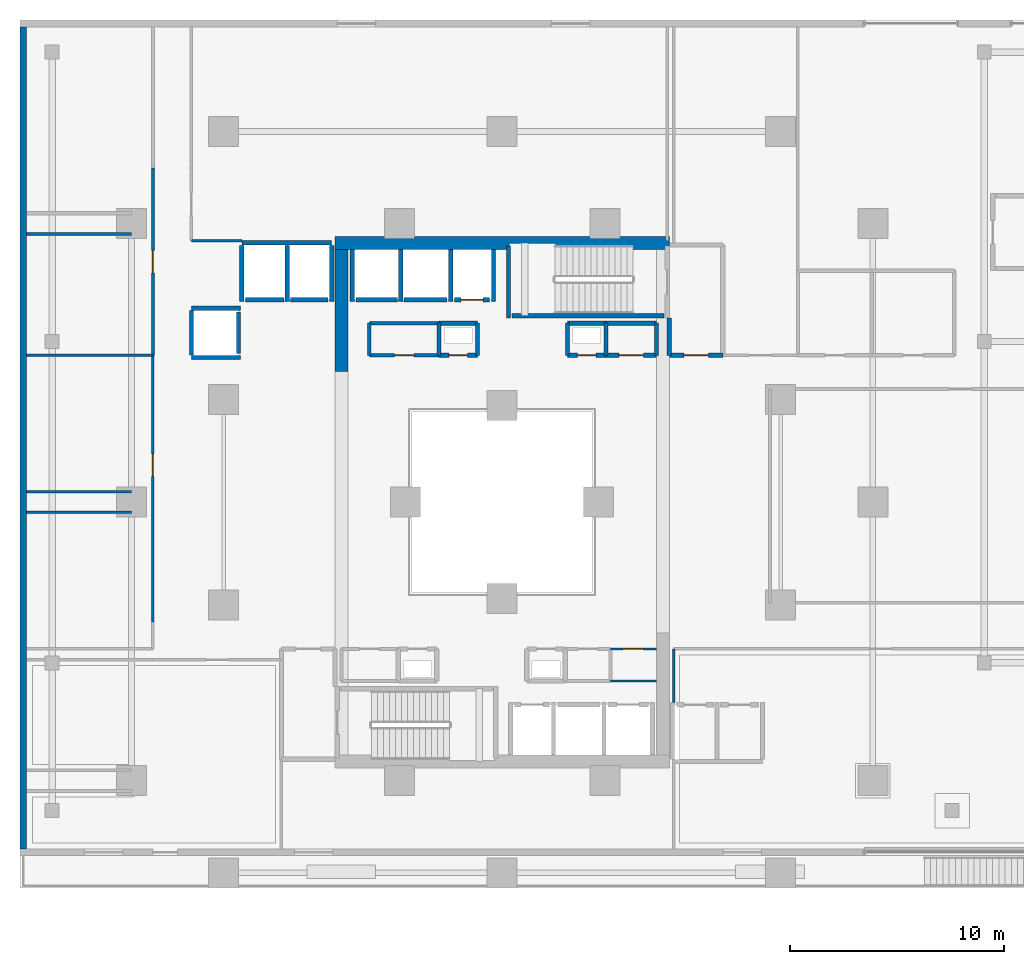
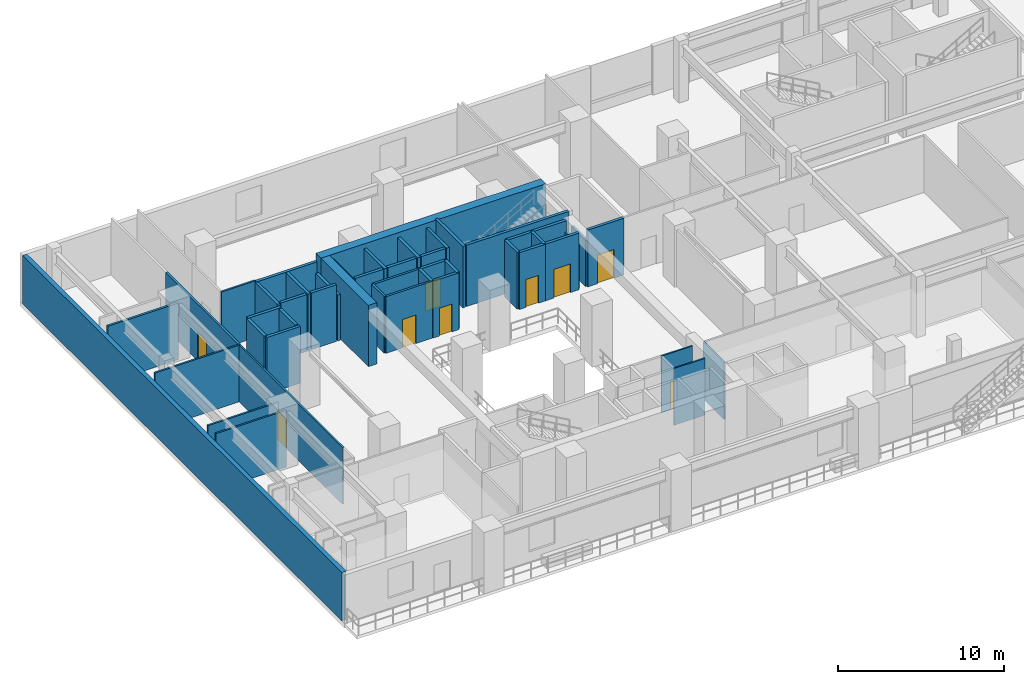
# One storey, part 12 of 22: 48 walls, 9 doors, 9 openings.
"""IFC4 building model written with IfcOpenShell, lengths in metres."""

from ifc_helpers import new_model, si_unit, direction, frame, frame_2d, origin, place, context, subcontext, project, spatial, rectangle, extrude, material, layer, layer_set, type_object, element, fill, save


model = new_model("IFC4")

# Units and contexts
model_context = context("Model", 3, precision=1e-05, world=origin(), true_north=direction((0.0, 1.0)))
body_context = subcontext(model_context, "Body", "Model", "MODEL_VIEW")
ifc_project = project(units=[si_unit("LENGTHUNIT", "METRE"), si_unit("AREAUNIT", "SQUARE_METRE"), si_unit("VOLUMEUNIT", "CUBIC_METRE"), si_unit("PLANEANGLEUNIT", "RADIAN"), si_unit("MASSUNIT", "GRAM", prefix="KILO")], contexts=[model_context])

# Site, building, storey
site_placement = place(None, origin())
site = spatial("IfcSite", under=ifc_project, at=site_placement, CompositionType="ELEMENT")
building_placement = place(site_placement, origin())
building = spatial("IfcBuilding", under=site, at=building_placement, Name="Thornwick Lancets Civic Towers", CompositionType="ELEMENT")
storey_placement = place(building_placement, frame((0.0, 0.0, 18.60009765625)))
storey = spatial("IfcBuildingStorey", under=building, at=storey_placement, Name="L04", CompositionType="ELEMENT", Elevation=18.60009765625)

# Wall, opening, door
ifc_material_1 = material(Name="Concrete blockwork C40/50", Category="masonry")
ifc_layer_1 = layer(ifc_material_1, 0.199951171875, Name="Concrete blockwork C40/50")
ifc_layer_set_1 = layer_set([ifc_layer_1], Name="Concrete blockwork C40/50")
wall_type_1 = type_object("IfcWallType", Name="WALL_COMP_200", PredefinedType="STANDARD", material=ifc_layer_set_1)
wall_1_placement = place(storey_placement, frame((24.919921875, 36.449951171875, 0.0), z_axis=(0.0, 0.0, 1.0), x_axis=(-1.0, 0.0, 0.0)))
wall_1 = element("IfcWall", 1, at=wall_1_placement, inside=storey, type_object=wall_type_1, Name="L04 Hoistway Front Wall FL-A2", PredefinedType="STANDARD", context=body_context, shape_type="SweptSolid", body=[
    extrude(rectangle(XDim=1.639892578125, YDim=0.199951171875, at=frame_2d((0.81982421875, 0.0))), origin(), (0.0, 0.0, 1.0), 4.159912109375),
])
opening_1_placement = place(wall_1_placement, frame((0.31005859375, 0.0, 0.0)))
opening_1 = element("IfcOpeningElement", 2, at=opening_1_placement, cuts=wall_1, Name="Opening LD-FL-A2", PredefinedType="OPENING", context=body_context, shape_type="SweptSolid", body=[
    extrude(rectangle(XDim=1.02001953125, YDim=2.06005859375, at=frame_2d((0.510009765625, 1.030029296875))), frame((0.0, 0.10986328125, 0.0), z_axis=(0.0, -1.0, 0.0), x_axis=(1.0, 0.0, 0.0)), (0.0, 0.0, 1.0), 0.219970703125),
])
ifc_material_2 = material(Name="Brushed bronze stainless steel", Category="steel")
door_type_1 = type_object("IfcDoorType", Name="DOOR_LIFT_SLIDE", OperationType="SLIDING_TO_LEFT", PredefinedType="DOOR", material=ifc_material_2)
door_1_placement = place(opening_1_placement, origin())
door_1 = element("IfcDoor", 3, at=door_1_placement, inside=storey, type_object=door_type_1, Name="L04 Sliding Lift Landing Door LD-FL-A2", OperationType="SLIDING_TO_LEFT", OverallHeight=2.06005859375, OverallWidth=1.02001953125, PredefinedType="DOOR", context=body_context, shape_type="SweptSolid", body=[
    extrude(rectangle(XDim=1.02001953125, YDim=2.06005859375, at=frame_2d((0.510009765625, 1.030029296875))), frame((0.0, 0.02490234375, 0.0), z_axis=(0.0, -1.0, 0.0), x_axis=(1.0, 0.0, 0.0)), (0.0, 0.0, 1.0), 0.050048828125),
])
fill(opening_1, door_1)

# Walls
wall_2_placement = place(storey_placement, frame((22.919921875, 36.449951171875, 0.0), z_axis=(0.0, 0.0, 1.0), x_axis=(-1.0, 0.0, 0.0)))
element("IfcWall", 4, at=wall_2_placement, inside=storey, type_object=wall_type_1, Name="L04 Hoistway Front Wall PL-AH2", PredefinedType="STANDARD", context=body_context, shape_type="SweptSolid", body=[
    extrude(rectangle(XDim=1.989990234375, YDim=0.199951171875, at=frame_2d((0.9951171875, 0.0))), origin(), (0.0, 0.0, 1.0), 4.159912109375),
])
wall_3_placement = place(storey_placement, frame((20.6201171875, 36.449951171875, 0.0), z_axis=(0.0, 0.0, 1.0), x_axis=(-1.0, 0.0, 0.0)))
element("IfcWall", 5, at=wall_3_placement, inside=storey, type_object=wall_type_1, Name="L04 Hoistway Front Wall PL-AH3", PredefinedType="STANDARD", context=body_context, shape_type="SweptSolid", body=[
    extrude(rectangle(XDim=1.940185546875, YDim=0.199951171875, at=frame_2d((0.97021484375, 0.0))), origin(), (0.0, 0.0, 1.0), 4.159912109375),
])
wall_4_placement = place(storey_placement, frame((17.3701171875, 36.449951171875, 0.0), z_axis=(0.0, 0.0, 1.0), x_axis=(-1.0, 0.0, 0.0)))
element("IfcWall", 6, at=wall_4_placement, inside=storey, type_object=wall_type_1, Name="L04 Hoistway Front Wall PL-AM1", PredefinedType="STANDARD", context=body_context, shape_type="SweptSolid", body=[
    extrude(rectangle(XDim=1.740234375, YDim=0.199951171875, at=frame_2d((0.8701171875, 0.0))), origin(), (0.0, 0.0, 1.0), 4.159912109375),
])
wall_5_placement = place(storey_placement, frame((15.320068359375, 36.449951171875, 0.0), z_axis=(0.0, 0.0, 1.0), x_axis=(-1.0, 0.0, 0.0)))
element("IfcWall", 7, at=wall_5_placement, inside=storey, type_object=wall_type_1, Name="L04 Hoistway Front Wall PL-AM2", PredefinedType="STANDARD", context=body_context, shape_type="SweptSolid", body=[
    extrude(rectangle(XDim=1.7900390625, YDim=0.199951171875, at=frame_2d((0.89501953125, 0.0))), origin(), (0.0, 0.0, 1.0), 4.159912109375),
])
wall_6_placement = place(storey_placement, frame((13.199951171875, 33.929931640625, 0.0), z_axis=(0.0, 0.0, 1.0), x_axis=(0.0, 1.0, 0.0)))
element("IfcWall", 8, at=wall_6_placement, inside=storey, type_object=wall_type_1, Name="L04 Hoistway Front Wall PL-AM3", PredefinedType="STANDARD", context=body_context, shape_type="SweptSolid", body=[
    extrude(rectangle(XDim=1.940185546875, YDim=0.199951171875, at=frame_2d((0.97021484375, 0.0))), origin(), (0.0, 0.0, 1.0), 4.159912109375),
])
for number, where, z_axis, x_axis, name in (
    (9, (25.10009765625, 36.35205078125, 0.0), (0.0, 0.0, 1.0), (0.0, 1.0, 0.0), "L04 Hoistway Shaft Wall FL-A2 E"),
    (10, (23.10009765625, 36.35205078125, 0.0), (0.0, 0.0, 1.0), (0.0, 1.0, 0.0), "L04 Hoistway Shaft Wall FL-A2 W"),
    (11, (20.77490234375, 36.35205078125, 0.0), (0.0, 0.0, 1.0), (0.0, 1.0, 0.0), "L04 Hoistway Shaft Wall PL-AH2 W"),
    (12, (18.5, 36.35205078125, 0.0), (0.0, 0.0, 1.0), (0.0, 1.0, 0.0), "L04 Hoistway Shaft Wall PL-AH3 W"),
):
    element("IfcWall", number, at=place(storey_placement, frame(where, z_axis=z_axis, x_axis=x_axis)), inside=storey, type_object=wall_type_1, Name=name, PredefinedType="STANDARD", context=body_context, shape_type="SweptSolid", body=[
        extrude(rectangle(XDim=2.43603515625, YDim=0.199951171875, at=frame_2d((1.218017578125, 0.0))), origin(), (0.0, 0.0, 1.0), 4.159912109375),
    ])
wall_7_placement = place(storey_placement, frame((13.35205078125, 39.10009765625, 0.0), z_axis=(0.0, 0.0, 1.0), x_axis=(1.0, 0.0, 0.0)))
element("IfcWall", 13, at=wall_7_placement, inside=storey, type_object=wall_type_1, Name="L04 Hoistway Shaft Wall PL-AM1 N", PredefinedType="STANDARD", context=body_context, shape_type="SweptSolid", body=[
    extrude(rectangle(XDim=4.196044921875, YDim=0.199951171875, at=frame_2d((2.09814453125, 0.0))), origin(), (0.0, 0.0, 1.0), 4.159912109375),
])
wall_8_placement = place(storey_placement, frame((17.550048828125, 36.35205078125, 0.0), z_axis=(0.0, 0.0, 1.0), x_axis=(0.0, 1.0, 0.0)))
element("IfcWall", 14, at=wall_8_placement, inside=storey, type_object=wall_type_1, Name="L04 Hoistway Shaft Wall PL-AM1 E", PredefinedType="STANDARD", context=body_context, shape_type="SweptSolid", body=[
    extrude(rectangle(XDim=2.635986328125, YDim=0.199951171875, at=frame_2d((1.31787109375, 0.0))), origin(), (0.0, 0.0, 1.0), 3.364990234375),
])
for number, where, z_axis, x_axis, name in (
    (15, (15.47509765625, 36.35205078125, 0.0), (0.0, 0.0, 1.0), (0.0, 1.0, 0.0), "L04 Hoistway Shaft Wall PL-AM1 W"),
    (16, (13.35009765625, 36.35205078125, 0.0), (0.0, 0.0, 1.0), (0.0, 1.0, 0.0), "L04 Hoistway Shaft Wall PL-AM2 W"),
):
    element("IfcWall", number, at=place(storey_placement, frame(where, z_axis=z_axis, x_axis=x_axis)), inside=storey, type_object=wall_type_1, Name=name, PredefinedType="STANDARD", context=body_context, shape_type="SweptSolid", body=[
        extrude(rectangle(XDim=2.635986328125, YDim=0.199951171875, at=frame_2d((1.31787109375, 0.0))), origin(), (0.0, 0.0, 1.0), 4.159912109375),
    ])
for number, where, z_axis, x_axis, name in (
    (17, (11.001953125, 36.050048828125, 0.0), (0.0, 0.0, 1.0), (1.0, 0.0, 0.0), "L04 Hoistway Shaft Wall PL-AM3 N"),
    (18, (11.001953125, 33.75, 0.0), (0.0, 0.0, 1.0), (1.0, 0.0, 0.0), "L04 Hoistway Shaft Wall PL-AM3 S"),
):
    element("IfcWall", number, at=place(storey_placement, frame(where, z_axis=z_axis, x_axis=x_axis)), inside=storey, type_object=wall_type_1, Name=name, PredefinedType="STANDARD", context=body_context, shape_type="SweptSolid", body=[
        extrude(rectangle(XDim=2.296142578125, YDim=0.199951171875, at=frame_2d((1.14794921875, 0.0))), origin(), (0.0, 0.0, 1.0), 4.159912109375),
    ])
wall_9_placement = place(storey_placement, frame((11.0, 33.862060546875, 0.0), z_axis=(0.0, 0.0, 1.0), x_axis=(0.0, 1.0, 0.0)))
element("IfcWall", 19, at=wall_9_placement, inside=storey, type_object=wall_type_1, Name="L04 Hoistway Shaft Wall PL-AM3 W", PredefinedType="STANDARD", context=body_context, shape_type="SweptSolid", body=[
    extrude(rectangle(XDim=2.075927734375, YDim=0.199951171875, at=frame_2d((1.0380859375, 0.0))), origin(), (0.0, 0.0, 1.0), 4.159912109375),
])

# Wall, opening, door
wall_10_placement = place(storey_placement, frame((33.300048828125, 33.85009765625, 0.0), z_axis=(0.0, 0.0, 1.0), x_axis=(1.0, 0.0, 0.0)))
wall_10 = element("IfcWall", 20, at=wall_10_placement, inside=storey, type_object=wall_type_1, Name="L04 Partition L04-A-FFLOB2 E1", PredefinedType="STANDARD", context=body_context, shape_type="SweptSolid", body=[
    extrude(rectangle(XDim=2.5, YDim=0.199951171875, at=frame_2d((1.25, 0.0))), origin(), (0.0, 0.0, 1.0), 4.159912109375),
])
opening_2_placement = place(wall_10_placement, frame((0.675048828125, 0.0, 0.0)))
opening_2 = element("IfcOpeningElement", 21, at=opening_2_placement, cuts=wall_10, Name="Opening D-L04-0234", PredefinedType="OPENING", context=body_context, shape_type="SweptSolid", body=[
    extrude(rectangle(XDim=1.14990234375, YDim=2.10009765625, at=frame_2d((0.574951171875, 1.050048828125))), frame((0.0, 0.10986328125, 0.0), z_axis=(0.0, -1.0, 0.0), x_axis=(1.0, 0.0, 0.0)), (0.0, 0.0, 1.0), 0.219970703125),
])
ifc_material_3 = material(Name="Glazed fire-resisting steel", Category="steel")
door_type_2 = type_object("IfcDoorType", Name="DOOR_LOBBY_FD60", OperationType="NOTDEFINED", PredefinedType="DOOR", material=ifc_material_3)
door_2_placement = place(opening_2_placement, origin())
door_2 = element("IfcDoor", 22, at=door_2_placement, inside=storey, type_object=door_type_2, Name="L04 North Firefighting Lobby 2 Door", OperationType="SINGLE_SWING_LEFT", OverallHeight=2.10009765625, OverallWidth=1.14990234375, PredefinedType="DOOR", context=body_context, shape_type="SweptSolid", body=[
    extrude(rectangle(XDim=1.14990234375, YDim=2.10009765625, at=frame_2d((0.574951171875, 1.050048828125))), frame((0.0, 0.02490234375, 0.0), z_axis=(0.0, -1.0, 0.0), x_axis=(1.0, 0.0, 0.0)), (0.0, 0.0, 1.0), 0.050048828125),
])
fill(opening_2, door_2)

# Wall
wall_11_placement = place(storey_placement, frame((33.300048828125, 35.60009765625, 0.0), z_axis=(0.0, 0.0, 1.0), x_axis=(0.0, -1.0, 0.0)))
element("IfcWall", 23, at=wall_11_placement, inside=storey, type_object=wall_type_1, Name="L04 Partition L04-A-FFLOB2 E4", PredefinedType="STANDARD", context=body_context, shape_type="SweptSolid", body=[
    extrude(rectangle(XDim=1.75, YDim=0.199951171875, at=frame_2d((0.875, 0.0))), origin(), (0.0, 0.0, 1.0), 3.364990234375),
])

# Wall, opening, door
wall_12_placement = place(storey_placement, frame((22.550048828125, 33.85009765625, 0.0), z_axis=(0.0, 0.0, 1.0), x_axis=(1.0, 0.0, 0.0)))
wall_12 = element("IfcWall", 24, at=wall_12_placement, inside=storey, type_object=wall_type_1, Name="L04 Partition L04-A-DUCT2 E1", PredefinedType="STANDARD", context=body_context, shape_type="SweptSolid", body=[
    extrude(rectangle(XDim=1.800048828125, YDim=0.199951171875, at=frame_2d((0.89990234375, 0.0))), origin(), (0.0, 0.0, 1.0), 4.159912109375),
])
opening_3_placement = place(wall_12_placement, frame((0.4599609375, 0.0, 0.0)))
opening_3 = element("IfcOpeningElement", 25, at=opening_3_placement, cuts=wall_12, Name="Opening D-L04-0237", PredefinedType="OPENING", context=body_context, shape_type="SweptSolid", body=[
    extrude(rectangle(XDim=0.8798828125, YDim=2.0400390625, at=frame_2d((0.43994140625, 1.02001953125))), frame((0.0, 0.10986328125, 0.0), z_axis=(0.0, -1.0, 0.0), x_axis=(1.0, 0.0, 0.0)), (0.0, 0.0, 1.0), 0.219970703125),
])
ifc_material_4 = material(Name="Steel riser access doorset", Category="steel")
door_type_3 = type_object("IfcDoorType", Name="DOOR_RISER_850", OperationType="NOTDEFINED", PredefinedType="DOOR", material=ifc_material_4)
door_3_placement = place(opening_3_placement, origin())
door_3 = element("IfcDoor", 26, at=door_3_placement, inside=storey, type_object=door_type_3, Name="L04 North Service Duct 2 Door", OperationType="SINGLE_SWING_RIGHT", OverallHeight=2.0400390625, OverallWidth=0.8798828125, PredefinedType="DOOR", context=body_context, shape_type="SweptSolid", body=[
    extrude(rectangle(XDim=0.8798828125, YDim=2.0400390625, at=frame_2d((0.43994140625, 1.02001953125))), frame((0.0, 0.02490234375, 0.0), z_axis=(0.0, -1.0, 0.0), x_axis=(1.0, 0.0, 0.0)), (0.0, 0.0, 1.0), 0.050048828125),
])
fill(opening_3, door_3)

# Walls
wall_13_placement = place(storey_placement, frame((24.35009765625, 33.85009765625, 0.0), z_axis=(0.0, 0.0, 1.0), x_axis=(0.0, 1.0, 0.0)))
element("IfcWall", 27, at=wall_13_placement, inside=storey, type_object=wall_type_1, Name="L04 Partition L04-A-DUCT2 E2", PredefinedType="STANDARD", context=body_context, shape_type="SweptSolid", body=[
    extrude(rectangle(XDim=1.5, YDim=0.199951171875, at=frame_2d((0.75, 0.0))), origin(), (0.0, 0.0, 1.0), 4.159912109375),
])
wall_14_placement = place(storey_placement, frame((24.35009765625, 35.35009765625, 0.0), z_axis=(0.0, 0.0, 1.0), x_axis=(-1.0, 0.0, 0.0)))
element("IfcWall", 28, at=wall_14_placement, inside=storey, type_object=wall_type_1, Name="L04 Partition L04-A-DUCT2 E3", PredefinedType="STANDARD", context=body_context, shape_type="SweptSolid", body=[
    extrude(rectangle(XDim=1.800048828125, YDim=0.199951171875, at=frame_2d((0.89990234375, 0.0))), origin(), (0.0, 0.0, 1.0), 4.159912109375),
])
wall_15_placement = place(storey_placement, frame((22.550048828125, 35.35009765625, 0.0), z_axis=(0.0, 0.0, 1.0), x_axis=(0.0, -1.0, 0.0)))
element("IfcWall", 29, at=wall_15_placement, inside=storey, type_object=wall_type_1, Name="L04 Partition L04-A-DUCT2 E4", PredefinedType="STANDARD", context=body_context, shape_type="SweptSolid", body=[
    extrude(rectangle(XDim=1.5, YDim=0.199951171875, at=frame_2d((0.75, 0.0))), origin(), (0.0, 0.0, 1.0), 4.159912109375),
])

# Wall, opening, door
wall_16_placement = place(storey_placement, frame((28.550048828125, 33.85009765625, 0.0), z_axis=(0.0, 0.0, 1.0), x_axis=(1.0, 0.0, 0.0)))
wall_16 = element("IfcWall", 30, at=wall_16_placement, inside=storey, type_object=wall_type_1, Name="L04 Partition L04-A-RISER2 E1", PredefinedType="STANDARD", context=body_context, shape_type="SweptSolid", body=[
    extrude(rectangle(XDim=1.800048828125, YDim=0.199951171875, at=frame_2d((0.89990234375, 0.0))), origin(), (0.0, 0.0, 1.0), 4.159912109375),
])
opening_4_placement = place(wall_16_placement, frame((0.4599609375, 0.0, 0.0)))
opening_4 = element("IfcOpeningElement", 31, at=opening_4_placement, cuts=wall_16, Name="Opening D-L04-0238", PredefinedType="OPENING", context=body_context, shape_type="SweptSolid", body=[
    extrude(rectangle(XDim=0.8798828125, YDim=2.0400390625, at=frame_2d((0.43994140625, 1.02001953125))), frame((0.0, 0.10986328125, 0.0), z_axis=(0.0, -1.0, 0.0), x_axis=(1.0, 0.0, 0.0)), (0.0, 0.0, 1.0), 0.219970703125),
])
door_4_placement = place(opening_4_placement, origin())
door_4 = element("IfcDoor", 32, at=door_4_placement, inside=storey, type_object=door_type_3, Name="L04 North Service Riser 2 Door", OperationType="SINGLE_SWING_LEFT", OverallHeight=2.0400390625, OverallWidth=0.8798828125, PredefinedType="DOOR", context=body_context, shape_type="SweptSolid", body=[
    extrude(rectangle(XDim=0.8798828125, YDim=2.0400390625, at=frame_2d((0.43994140625, 1.02001953125))), frame((0.0, 0.02490234375, 0.0), z_axis=(0.0, -1.0, 0.0), x_axis=(1.0, 0.0, 0.0)), (0.0, 0.0, 1.0), 0.050048828125),
])
fill(opening_4, door_4)

# Walls
wall_17_placement = place(storey_placement, frame((30.35009765625, 33.85009765625, 0.0), z_axis=(0.0, 0.0, 1.0), x_axis=(0.0, 1.0, 0.0)))
element("IfcWall", 33, at=wall_17_placement, inside=storey, type_object=wall_type_1, Name="L04 Partition L04-A-RISER2 E2", PredefinedType="STANDARD", context=body_context, shape_type="SweptSolid", body=[
    extrude(rectangle(XDim=1.5, YDim=0.199951171875, at=frame_2d((0.75, 0.0))), origin(), (0.0, 0.0, 1.0), 4.159912109375),
])
wall_18_placement = place(storey_placement, frame((30.35009765625, 35.35009765625, 0.0), z_axis=(0.0, 0.0, 1.0), x_axis=(-1.0, 0.0, 0.0)))
element("IfcWall", 34, at=wall_18_placement, inside=storey, type_object=wall_type_1, Name="L04 Partition L04-A-RISER2 E3", PredefinedType="STANDARD", context=body_context, shape_type="SweptSolid", body=[
    extrude(rectangle(XDim=1.800048828125, YDim=0.199951171875, at=frame_2d((0.89990234375, 0.0))), origin(), (0.0, 0.0, 1.0), 4.159912109375),
])
wall_19_placement = place(storey_placement, frame((28.550048828125, 35.35009765625, 0.0), z_axis=(0.0, 0.0, 1.0), x_axis=(0.0, -1.0, 0.0)))
element("IfcWall", 35, at=wall_19_placement, inside=storey, type_object=wall_type_1, Name="L04 Partition L04-A-RISER2 E4", PredefinedType="STANDARD", context=body_context, shape_type="SweptSolid", body=[
    extrude(rectangle(XDim=1.5, YDim=0.199951171875, at=frame_2d((0.75, 0.0))), origin(), (0.0, 0.0, 1.0), 4.159912109375),
])
wall_20_placement = place(storey_placement, frame((32.699951171875, 35.35009765625, 0.0), z_axis=(0.0, 0.0, 1.0), x_axis=(0.0, -1.0, 0.0)))
element("IfcWall", 36, at=wall_20_placement, inside=storey, type_object=wall_type_1, Name="L04 Partition L04-A-STR E1", PredefinedType="STANDARD", context=body_context, shape_type="SweptSolid", body=[
    extrude(rectangle(XDim=1.5, YDim=0.199951171875, at=frame_2d((0.75, 0.0))), origin(), (0.0, 0.0, 1.0), 3.364990234375),
])

# Wall, opening, door
wall_21_placement = place(storey_placement, frame((32.699951171875, 33.85009765625, 0.0), z_axis=(0.0, 0.0, 1.0), x_axis=(-1.0, 0.0, 0.0)))
wall_21 = element("IfcWall", 37, at=wall_21_placement, inside=storey, type_object=wall_type_1, Name="L04 Partition L04-A-STR E2", PredefinedType="STANDARD", context=body_context, shape_type="SweptSolid", body=[
    extrude(rectangle(XDim=2.349853515625, YDim=0.199951171875, at=frame_2d((1.1748046875, 0.0))), origin(), (0.0, 0.0, 1.0), 4.159912109375),
])
opening_5_placement = place(wall_21_placement, frame((0.60009765625, 0.0, 0.0)))
opening_5 = element("IfcOpeningElement", 38, at=opening_5_placement, cuts=wall_21, Name="Opening D-L04-0243", PredefinedType="OPENING", context=body_context, shape_type="SweptSolid", body=[
    extrude(rectangle(XDim=1.14990234375, YDim=2.10009765625, at=frame_2d((0.574951171875, 1.050048828125))), frame((0.0, 0.10986328125, 0.0), z_axis=(0.0, -1.0, 0.0), x_axis=(1.0, 0.0, 0.0)), (0.0, 0.0, 1.0), 0.219970703125),
])
door_5_placement = place(opening_5_placement, origin())
door_5 = element("IfcDoor", 39, at=door_5_placement, inside=storey, type_object=door_type_2, Name="L04 Tower A Core Equipment Store Door", OperationType="SINGLE_SWING_RIGHT", OverallHeight=2.10009765625, OverallWidth=1.14990234375, PredefinedType="DOOR", context=body_context, shape_type="SweptSolid", body=[
    extrude(rectangle(XDim=1.14990234375, YDim=2.10009765625, at=frame_2d((0.574951171875, 1.050048828125))), frame((0.0, 0.02490234375, 0.0), z_axis=(0.0, -1.0, 0.0), x_axis=(1.0, 0.0, 0.0)), (0.0, 0.0, 1.0), 0.050048828125),
])
fill(opening_5, door_5)

# Walls
wall_22_placement = place(storey_placement, frame((30.35009765625, 35.35009765625, 0.0), z_axis=(0.0, 0.0, 1.0), x_axis=(1.0, 0.0, 0.0)))
element("IfcWall", 40, at=wall_22_placement, inside=storey, type_object=wall_type_1, Name="L04 Partition L04-A-STR E4", PredefinedType="STANDARD", context=body_context, shape_type="SweptSolid", body=[
    extrude(rectangle(XDim=2.349853515625, YDim=0.199951171875, at=frame_2d((1.1748046875, 0.0))), origin(), (0.0, 0.0, 1.0), 4.159912109375),
])
ifc_material_5 = material(Name="Concrete C60/75", Category="concrete")
ifc_layer_2 = layer(ifc_material_5, 0.60009765625, Name="Concrete C60/75")
ifc_layer_set_2 = layer_set([ifc_layer_2], Name="Concrete C60/75")
wall_type_2 = type_object("IfcWallType", Name="WALL_CORE_600", PredefinedType="SHEAR", material=ifc_layer_set_2)
wall_23_placement = place(storey_placement, frame((17.699951171875, 39.10009765625, 0.0), z_axis=(0.0, 0.0, 1.0), x_axis=(1.0, 0.0, 0.0)))
element("IfcWall", 41, at=wall_23_placement, inside=storey, type_object=wall_type_2, Name="L04 Split Core A2 Shear Wall N", PredefinedType="SHEAR", context=body_context, shape_type="SweptSolid", body=[
    extrude(rectangle(XDim=15.60009765625, YDim=0.60009765625, at=frame_2d((7.800048828125, 0.0))), origin(), (0.0, 0.0, 1.0), 4.5),
])
wall_24_placement = place(storey_placement, frame((18.0, 33.10009765625, 0.0), z_axis=(0.0, 0.0, 1.0), x_axis=(0.0, 1.0, 0.0)))
element("IfcWall", 42, at=wall_24_placement, inside=storey, type_object=wall_type_2, Name="L04 Split Core A2 Shear Wall W", PredefinedType="SHEAR", context=body_context, shape_type="SweptSolid", body=[
    extrude(rectangle(XDim=5.699951171875, YDim=0.60009765625, at=frame_2d((2.85009765625, 0.0))), origin(), (0.0, 0.0, 1.0), 4.5),
])
ifc_material_6 = material(Name="Insulated russet terracotta rainscreen on concrete C40/50", Category="masonry")
ifc_layer_3 = layer(ifc_material_6, 0.300048828125, Name="Insulated russet terracotta rainscreen on concrete C40/50")
ifc_layer_set_3 = layer_set([ifc_layer_3], Name="Insulated russet terracotta rainscreen on concrete C40/50")
wall_type_3 = type_object("IfcWallType", Name="WALL_EXT_RUSSET_300", PredefinedType="STANDARD", material=ifc_layer_set_3)
wall_25_placement = place(storey_placement, frame((3.14990234375, 49.179931640625, 0.0), z_axis=(0.0, 0.0, 1.0), x_axis=(0.0, -1.0, 0.0)))
element("IfcWall", 43, at=wall_25_placement, inside=storey, type_object=wall_type_3, Name="L04 Podium West Facade Wall", PredefinedType="STANDARD", context=body_context, shape_type="SweptSolid", body=[
    extrude(rectangle(XDim=38.35986328125, YDim=0.300048828125, at=frame_2d((19.179931640625, 0.0))), origin(), (0.0, 0.0, 1.0), 3.559814453125),
])
ifc_material_7 = material(Name="Lightweight cellular office partition")
ifc_layer_4 = layer(ifc_material_7, 0.10009765625, Name="Lightweight cellular office partition")
ifc_layer_set_4 = layer_set([ifc_layer_4], Name="Lightweight cellular office partition")
wall_type_4 = type_object("IfcWallType", Name="WALL_PART_100", PredefinedType="PARTITIONING", material=ifc_layer_set_4)
wall_26_placement = place(storey_placement, frame((32.699951171875, 18.64990234375, 0.0), z_axis=(0.0, 0.0, 1.0), x_axis=(-1.0, 0.0, 0.0)))
element("IfcWall", 44, at=wall_26_placement, inside=storey, type_object=wall_type_4, Name="L04 Partition L04-A-CLN E2", PredefinedType="PARTITIONING", context=body_context, shape_type="SweptSolid", body=[
    extrude(rectangle(XDim=2.14990234375, YDim=0.10009765625, at=frame_2d((1.074951171875, 0.0))), origin(), (0.0, 0.0, 1.0), 4.159912109375),
])

# Wall, opening, door
wall_27_placement = place(storey_placement, frame((30.550048828125, 20.14990234375, 0.0), z_axis=(0.0, 0.0, 1.0), x_axis=(1.0, 0.0, 0.0)))
wall_27 = element("IfcWall", 45, at=wall_27_placement, inside=storey, type_object=wall_type_4, Name="L04 Partition L04-A-CLN E4", PredefinedType="PARTITIONING", context=body_context, shape_type="SweptSolid", body=[
    extrude(rectangle(XDim=2.14990234375, YDim=0.10009765625, at=frame_2d((1.074951171875, 0.0))), origin(), (0.0, 0.0, 1.0), 4.159912109375),
])
opening_6_placement = place(wall_27_placement, frame((0.60009765625, 0.0, 0.0)))
opening_6 = element("IfcOpeningElement", 46, at=opening_6_placement, cuts=wall_27, Name="Opening D-L04-0241", PredefinedType="OPENING", context=body_context, shape_type="SweptSolid", body=[
    extrude(rectangle(XDim=0.949951171875, YDim=2.10009765625, at=frame_2d((0.47509765625, 1.050048828125))), frame((0.0, 0.06005859375, 0.0), z_axis=(0.0, -1.0, 0.0), x_axis=(1.0, 0.0, 0.0)), (0.0, 0.0, 1.0), 0.1201171875),
])
ifc_material_8 = material(Name="European oak acoustic doorset")
door_type_4 = type_object("IfcDoorType", Name="DOOR_OFFICE_950", OperationType="NOTDEFINED", PredefinedType="DOOR", material=ifc_material_8)
door_6_placement = place(opening_6_placement, origin())
door_6 = element("IfcDoor", 47, at=door_6_placement, inside=storey, type_object=door_type_4, Name="L04 Tower A Cleaners Store Door", OperationType="SINGLE_SWING_RIGHT", OverallHeight=2.10009765625, OverallWidth=0.949951171875, PredefinedType="DOOR", context=body_context, shape_type="SweptSolid", body=[
    extrude(rectangle(XDim=0.949951171875, YDim=2.10009765625, at=frame_2d((0.47509765625, 1.050048828125))), frame((0.0, 0.02490234375, 0.0), z_axis=(0.0, -1.0, 0.0), x_axis=(1.0, 0.0, 0.0)), (0.0, 0.0, 1.0), 0.050048828125),
])
fill(opening_6, door_6)

# Wall
ifc_material_9 = material(Name="Acoustic gypsum board partition")
ifc_layer_5 = layer(ifc_material_9, 0.1201171875, Name="Acoustic gypsum board partition")
ifc_layer_set_5 = layer_set([ifc_layer_5], Name="Acoustic gypsum board partition")
wall_type_5 = type_object("IfcWallType", Name="WALL_PART_120", PredefinedType="PARTITIONING", material=ifc_layer_set_5)
wall_28_placement = place(storey_placement, frame((33.5, 17.64794921875, 0.0), z_axis=(0.0, 0.0, 1.0), x_axis=(0.0, 1.0, 0.0)))
element("IfcWall", 48, at=wall_28_placement, inside=storey, type_object=wall_type_5, Name="L04 Partition L04-RECEP E4", PredefinedType="PARTITIONING", context=body_context, shape_type="SweptSolid", body=[
    extrude(rectangle(XDim=2.501953125, YDim=0.1201171875, at=frame_2d((1.2509765625, 0.0))), origin(), (0.0, 0.0, 1.0), 4.159912109375),
])

# Wall, opening, door
wall_29_placement = place(storey_placement, frame((9.199951171875, 33.85009765625, 0.0), z_axis=(0.0, 0.0, 1.0), x_axis=(0.0, -1.0, 0.0)))
wall_29 = element("IfcWall", 49, at=wall_29_placement, inside=storey, type_object=wall_type_5, Name="L04 Partition L04-WSUITE E1", PredefinedType="PARTITIONING", context=body_context, shape_type="SweptSolid", body=[
    extrude(rectangle(XDim=12.4501953125, YDim=0.1201171875, at=frame_2d((6.22509765625, 0.0))), origin(), (0.0, 0.0, 1.0), 4.159912109375),
])
opening_7_placement = place(wall_29_placement, frame((4.60009765625, 0.0, 0.0)))
opening_7 = element("IfcOpeningElement", 50, at=opening_7_placement, cuts=wall_29, Name="Opening D-L04-0263", PredefinedType="OPENING", context=body_context, shape_type="SweptSolid", body=[
    extrude(rectangle(XDim=1.050048828125, YDim=2.10009765625, at=frame_2d((0.52490234375, 1.050048828125))), frame((0.0, 0.070068359375, 0.0), z_axis=(0.0, -1.0, 0.0), x_axis=(1.0, 0.0, 0.0)), (0.0, 0.0, 1.0), 0.14013671875),
])
ifc_material_10 = material(Name="Glazed European oak executive doorset")
door_type_5 = type_object("IfcDoorType", Name="DOOR_OFFICE_1050", OperationType="NOTDEFINED", PredefinedType="DOOR", material=ifc_material_10)
door_7_placement = place(opening_7_placement, origin())
door_7 = element("IfcDoor", 51, at=door_7_placement, inside=storey, type_object=door_type_5, Name="L04 West Policy Research Office Door", OperationType="SINGLE_SWING_RIGHT", OverallHeight=2.10009765625, OverallWidth=1.050048828125, PredefinedType="DOOR", context=body_context, shape_type="SweptSolid", body=[
    extrude(rectangle(XDim=1.050048828125, YDim=2.10009765625, at=frame_2d((0.52490234375, 1.050048828125))), frame((0.0, 0.02490234375, 0.0), z_axis=(0.0, -1.0, 0.0), x_axis=(1.0, 0.0, 0.0)), (0.0, 0.0, 1.0), 0.050048828125),
])
fill(opening_7, door_7)

# Walls
for number, where, z_axis, x_axis, name in (
    (52, (3.300048828125, 26.52001953125, 0.0), (0.0, 0.0, 1.0), (1.0, 0.0, 0.0), "L04 Partition L04-WSUITE E5"),
    (53, (8.199951171875, 27.47998046875, 0.0), (0.0, 0.0, 1.0), (-1.0, 0.0, 0.0), "L04 Partition L04-WSUITE E7"),
):
    element("IfcWall", number, at=place(storey_placement, frame(where, z_axis=z_axis, x_axis=x_axis)), inside=storey, type_object=wall_type_5, Name=name, PredefinedType="PARTITIONING", context=body_context, shape_type="SweptSolid", body=[
        extrude(rectangle(XDim=4.89990234375, YDim=0.1201171875, at=frame_2d((2.449951171875, 0.0))), origin(), (0.0, 0.0, 1.0), 4.159912109375),
    ])
wall_30_placement = place(storey_placement, frame((3.300048828125, 33.85009765625, 0.0), z_axis=(0.0, 0.0, 1.0), x_axis=(1.0, 0.0, 0.0)))
element("IfcWall", 54, at=wall_30_placement, inside=storey, type_object=wall_type_5, Name="L04 Partition L04-WSUITE E9", PredefinedType="PARTITIONING", context=body_context, shape_type="SweptSolid", body=[
    extrude(rectangle(XDim=5.89990234375, YDim=0.1201171875, at=frame_2d((2.949951171875, 0.0))), origin(), (0.0, 0.0, 1.0), 4.159912109375),
])
wall_31_placement = place(storey_placement, frame((13.35205078125, 39.199951171875, 0.0), z_axis=(0.0, 0.0, 1.0), x_axis=(-1.0, 0.0, 0.0)))
element("IfcWall", 55, at=wall_31_placement, inside=storey, type_object=wall_type_5, Name="L04 Partition L04-NWR E4", PredefinedType="PARTITIONING", context=body_context, shape_type="SweptSolid", body=[
    extrude(rectangle(XDim=2.35205078125, YDim=0.1201171875, at=frame_2d((1.176025390625, 0.0))), origin(), (0.0, 0.0, 1.0), 4.159912109375),
])
ifc_material_11 = material(Name="Twin-stud acoustic gypsum board")
ifc_layer_6 = layer(ifc_material_11, 0.14990234375, Name="Twin-stud acoustic gypsum board")
ifc_layer_set_6 = layer_set([ifc_layer_6], Name="Twin-stud acoustic gypsum board")
wall_type_6 = type_object("IfcWallType", Name="WALL_PART_150", PredefinedType="PARTITIONING", material=ifc_layer_set_6)
wall_32_placement = place(storey_placement, frame((19.300048828125, 33.85009765625, 0.0), z_axis=(0.0, 0.0, 1.0), x_axis=(0.0, 1.0, 0.0)))
element("IfcWall", 56, at=wall_32_placement, inside=storey, type_object=wall_type_6, Name="L04 Partition L04-A-FWC E1", PredefinedType="PARTITIONING", context=body_context, shape_type="SweptSolid", body=[
    extrude(rectangle(XDim=1.5, YDim=0.14990234375, at=frame_2d((0.75, 0.0))), origin(), (0.0, 0.0, 1.0), 4.159912109375),
])
wall_33_placement = place(storey_placement, frame((19.300048828125, 35.35009765625, 0.0), z_axis=(0.0, 0.0, 1.0), x_axis=(1.0, 0.0, 0.0)))
element("IfcWall", 57, at=wall_33_placement, inside=storey, type_object=wall_type_6, Name="L04 Partition L04-A-FWC E2", PredefinedType="PARTITIONING", context=body_context, shape_type="SweptSolid", body=[
    extrude(rectangle(XDim=3.25, YDim=0.14990234375, at=frame_2d((1.625, 0.0))), origin(), (0.0, 0.0, 1.0), 4.159912109375),
])

# Wall, opening, door
wall_34_placement = place(storey_placement, frame((22.550048828125, 33.85009765625, 0.0), z_axis=(0.0, 0.0, 1.0), x_axis=(-1.0, 0.0, 0.0)))
wall_34 = element("IfcWall", 58, at=wall_34_placement, inside=storey, type_object=wall_type_6, Name="L04 Partition L04-A-FWC E4", PredefinedType="PARTITIONING", context=body_context, shape_type="SweptSolid", body=[
    extrude(rectangle(XDim=3.25, YDim=0.14990234375, at=frame_2d((1.625, 0.0))), origin(), (0.0, 0.0, 1.0), 4.159912109375),
])
opening_8_placement = place(wall_34_placement, frame((1.1650390625, 0.0, 0.0)))
opening_8 = element("IfcOpeningElement", 59, at=opening_8_placement, cuts=wall_34, Name="Opening D-L04-0242", PredefinedType="OPENING", context=body_context, shape_type="SweptSolid", body=[
    extrude(rectangle(XDim=0.919921875, YDim=2.080078125, at=frame_2d((0.4599609375, 1.0400390625))), frame((0.0, 0.0849609375, 0.0), z_axis=(0.0, -1.0, 0.0), x_axis=(1.0, 0.0, 0.0)), (0.0, 0.0, 1.0), 0.169921875),
])
ifc_material_12 = material(Name="Moisture-resistant oak doorset")
door_type_6 = type_object("IfcDoorType", Name="DOOR_WC_900", OperationType="NOTDEFINED", PredefinedType="DOOR", material=ifc_material_12)
door_8_placement = place(opening_8_placement, origin())
door_8 = element("IfcDoor", 60, at=door_8_placement, inside=storey, type_object=door_type_6, Name="L04 Tower A Female WC Door", OperationType="SINGLE_SWING_LEFT", OverallHeight=2.080078125, OverallWidth=0.919921875, PredefinedType="DOOR", context=body_context, shape_type="SweptSolid", body=[
    extrude(rectangle(XDim=0.919921875, YDim=2.080078125, at=frame_2d((0.4599609375, 1.0400390625))), frame((0.0, 0.02490234375, 0.0), z_axis=(0.0, -1.0, 0.0), x_axis=(1.0, 0.0, 0.0)), (0.0, 0.0, 1.0), 0.050048828125),
])
fill(opening_8, door_8)

wall_35_placement = place(storey_placement, frame((9.199951171875, 42.60009765625, 0.0), z_axis=(0.0, 0.0, 1.0), x_axis=(0.0, -1.0, 0.0)))
wall_35 = element("IfcWall", 61, at=wall_35_placement, inside=storey, type_object=wall_type_6, Name="L04 Partition L04-REC E2", PredefinedType="PARTITIONING", context=body_context, shape_type="SweptSolid", body=[
    extrude(rectangle(XDim=8.75, YDim=0.14990234375, at=frame_2d((4.375, 0.0))), origin(), (0.0, 0.0, 1.0), 4.159912109375),
])
opening_9_placement = place(wall_35_placement, frame((3.85009765625, 0.0, 0.0)))
opening_9 = element("IfcOpeningElement", 62, at=opening_9_placement, cuts=wall_35, Name="Opening D-L04-0266", PredefinedType="OPENING", context=body_context, shape_type="SweptSolid", body=[
    extrude(rectangle(XDim=1.050048828125, YDim=2.10009765625, at=frame_2d((0.52490234375, 1.050048828125))), frame((0.0, 0.0849609375, 0.0), z_axis=(0.0, -1.0, 0.0), x_axis=(1.0, 0.0, 0.0)), (0.0, 0.0, 1.0), 0.169921875),
])
door_9_placement = place(opening_9_placement, origin())
door_9 = element("IfcDoor", 63, at=door_9_placement, inside=storey, type_object=door_type_5, Name="L04 Departmental Records Archive Door", OperationType="SINGLE_SWING_LEFT", OverallHeight=2.10009765625, OverallWidth=1.050048828125, PredefinedType="DOOR", context=body_context, shape_type="SweptSolid", body=[
    extrude(rectangle(XDim=1.050048828125, YDim=2.10009765625, at=frame_2d((0.52490234375, 1.050048828125))), frame((0.0, 0.02490234375, 0.0), z_axis=(0.0, -1.0, 0.0), x_axis=(1.0, 0.0, 0.0)), (0.0, 0.0, 1.0), 0.050048828125),
])
fill(opening_9, door_9)

# Walls
wall_36_placement = place(storey_placement, frame((3.300048828125, 39.52001953125, 0.0), z_axis=(0.0, 0.0, 1.0), x_axis=(1.0, 0.0, 0.0)))
element("IfcWall", 64, at=wall_36_placement, inside=storey, type_object=wall_type_6, Name="L04 Partition L04-REC E5", PredefinedType="PARTITIONING", context=body_context, shape_type="SweptSolid", body=[
    extrude(rectangle(XDim=4.89990234375, YDim=0.14990234375, at=frame_2d((2.449951171875, 0.0))), origin(), (0.0, 0.0, 1.0), 4.159912109375),
])
ifc_material_13 = material(Name="Concrete C40/50", Category="concrete")
ifc_layer_7 = layer(ifc_material_13, 0.199951171875, Name="Concrete C40/50")
ifc_layer_set_7 = layer_set([ifc_layer_7], Name="Concrete C40/50")
wall_type_7 = type_object("IfcWallType", Name="WALL_SHAFT_200", PredefinedType="SHEAR", material=ifc_layer_set_7)
wall_37_placement = place(storey_placement, frame((25.800048828125, 35.60009765625, 0.0), z_axis=(0.0, 0.0, 1.0), x_axis=(0.0, 1.0, 0.0)))
element("IfcWall", 65, at=wall_37_placement, inside=storey, type_object=wall_type_7, Name="L04 ST-A2 Fire Stair Core Wall FAR", PredefinedType="SHEAR", context=body_context, shape_type="SweptSolid", body=[
    extrude(rectangle(XDim=3.349853515625, YDim=0.199951171875, at=frame_2d((1.6748046875, 0.0))), origin(), (0.0, 0.0, 1.0), 4.5),
])
wall_38_placement = place(storey_placement, frame((25.949951171875, 35.702880859375, 0.0), z_axis=(0.0, 0.0, 1.0), x_axis=(1.0, 0.0, 0.0)))
element("IfcWall", 66, at=wall_38_placement, inside=storey, type_object=wall_type_7, Name="L04 ST-A2 Fire Stair Core Wall RIGHT", PredefinedType="SHEAR", context=body_context, shape_type="SweptSolid", body=[
    extrude(rectangle(XDim=7.10009765625, YDim=0.199951171875, at=frame_2d((3.550048828125, 0.0))), origin(), (0.0, 0.0, 1.0), 4.5),
])

save(model, "model.ifc")
